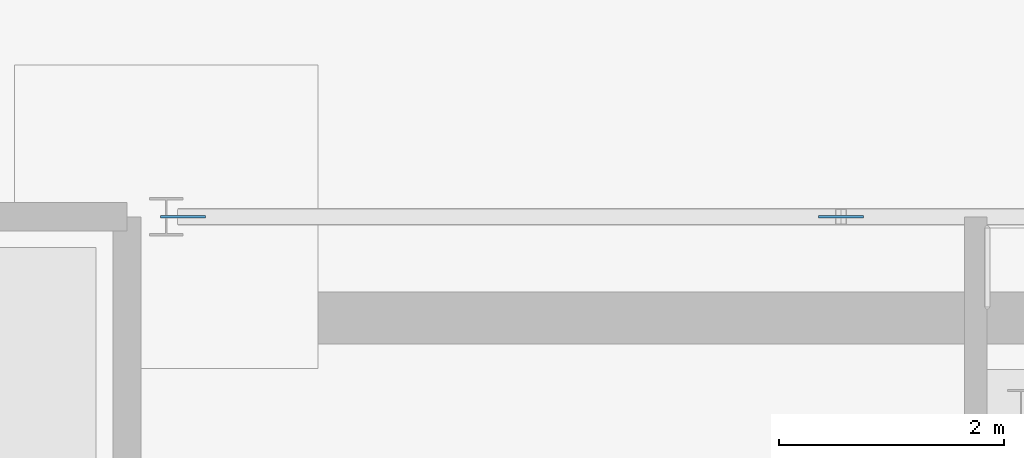
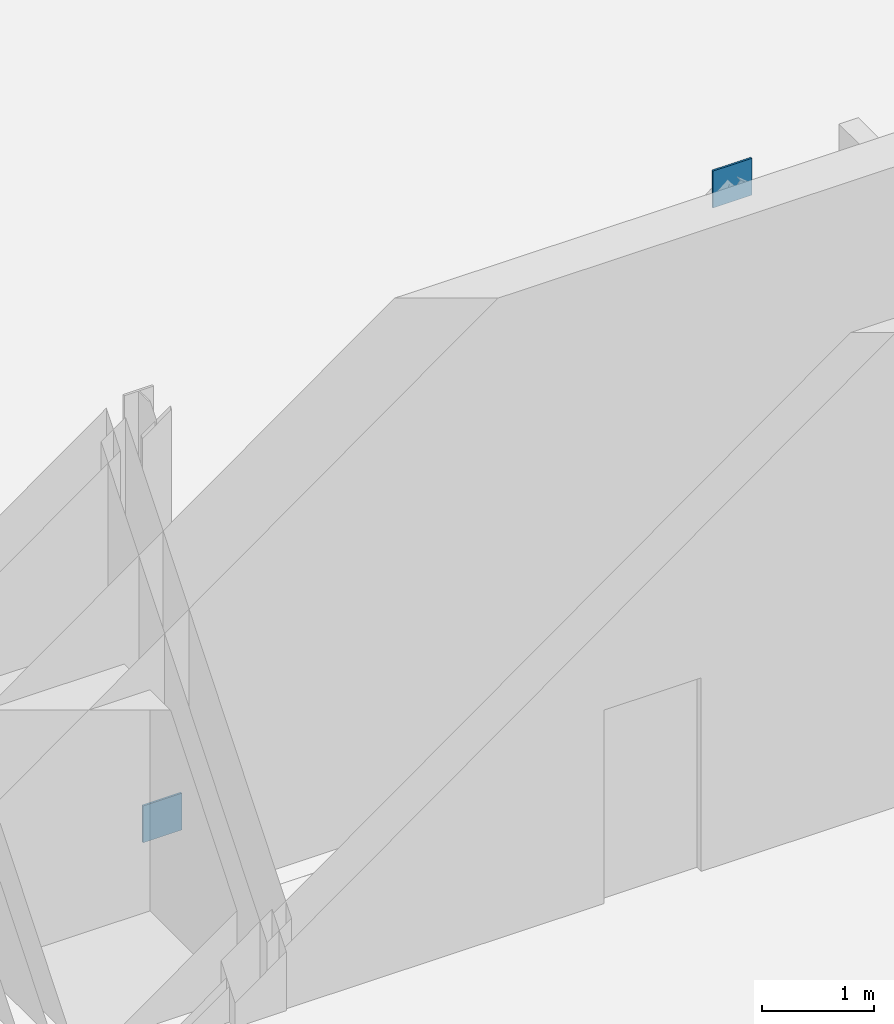
# One storey, part 102 of 132: 2 discrete accessories.
"""IFC4 building model written with IfcOpenShell, lengths in metres."""

from ifc_helpers import new_model, si_unit, direction, frame, origin, origin_2d, place, context, subcontext, project, spatial, rectangle, extrude, material, material_profile, profile_set, type_object, element, save


model = new_model("IFC4")

# Units and contexts
model_context = context("Model", 3, precision=1e-05, world=origin(), true_north=direction((0.0, 1.0)))
body_context = subcontext(model_context, "Body", "Model", "MODEL_VIEW")
ifc_project = project(units=[si_unit("LENGTHUNIT", "METRE"), si_unit("AREAUNIT", "SQUARE_METRE"), si_unit("VOLUMEUNIT", "CUBIC_METRE"), si_unit("PLANEANGLEUNIT", "RADIAN"), si_unit("MASSUNIT", "GRAM", prefix="KILO")], contexts=[model_context])

# Site, building, storey
site_placement = place(None, origin())
site = spatial("IfcSite", under=ifc_project, at=site_placement, CompositionType="ELEMENT")
building_placement = place(site_placement, origin())
building = spatial("IfcBuilding", under=site, at=building_placement, Name="Ravi Spectrum Wholesale Market", CompositionType="ELEMENT")
storey_placement = place(building_placement, origin())
storey = spatial("IfcBuildingStorey", under=building, at=storey_placement, Name="L00", CompositionType="ELEMENT", Elevation=0.0)

# Discrete accessories
ifc_material = material(Name="Steel S355", Category="steel")
ifc_material_profile = material_profile(ifc_material, rectangle(XDim=0.39990234375, YDim=0.02001953125, at=origin_2d()))
ifc_profile_set = profile_set([ifc_material_profile], Name="Steel S355")
discrete_accessory_type = type_object("IfcDiscreteAccessoryType", Name="Gusset plate 400x400x20", PredefinedType="BRACKET", material=ifc_profile_set)
for number, where, z_axis, x_axis, name in (
    (1, (186.14990234375, 126.0, -0.14208984375), (0.0, 0.0, 1.0), (1.0, 0.0, 0.0), "Gusset plate"),
    (2, (192.0, 126.0, 4.699951171875), (0.0, 0.0, 1.0), (1.0, 0.0, 0.0), "Gusset plate"),
):
    element("IfcDiscreteAccessory", number, at=place(storey_placement, frame(where, z_axis=z_axis, x_axis=x_axis)), inside=storey, type_object=discrete_accessory_type, Name=name, PredefinedType="BRACKET", context=body_context, shape_type="SweptSolid", body=[
        extrude(rectangle(XDim=0.39990234375, YDim=0.02001953125, at=origin_2d()), origin(), (0.0, 0.0, 1.0), 0.400146484375),
    ])

save(model, "model.ifc")
